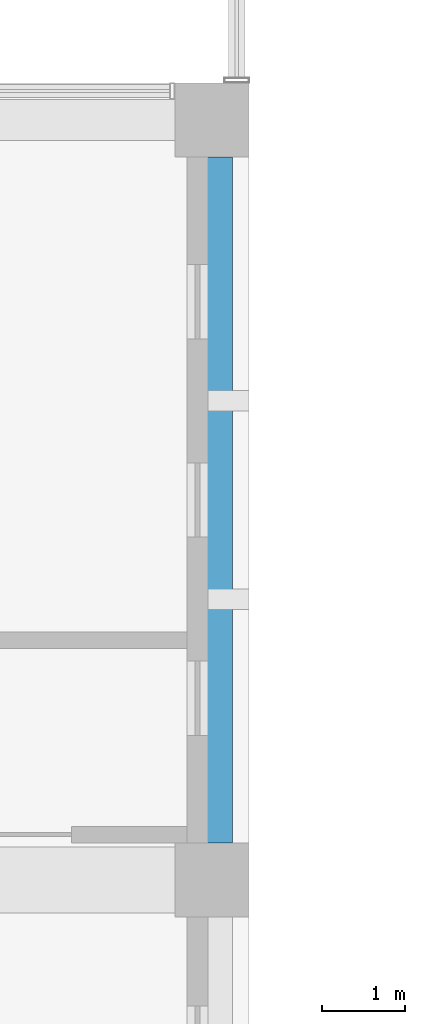
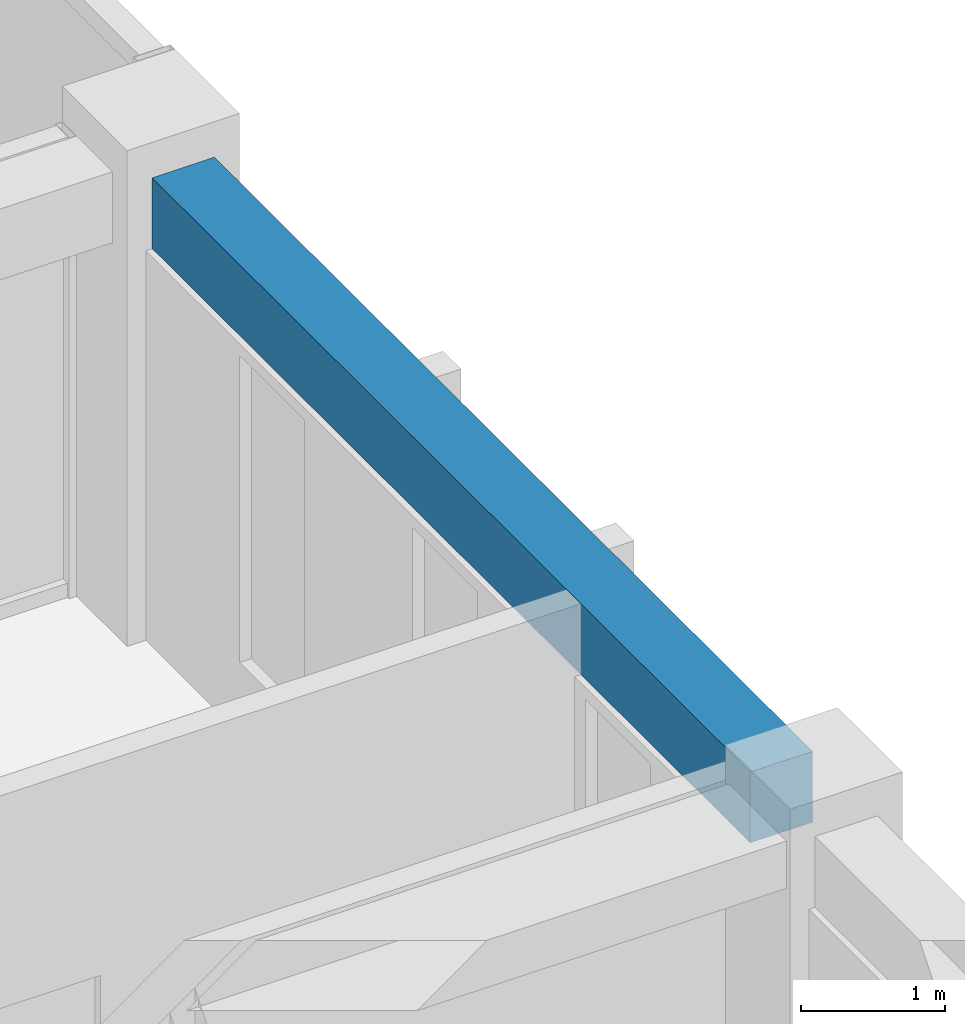
# One storey, part 15 of 37: 1 beam.
"""IFC4 building model written with IfcOpenShell, lengths in metres."""

from ifc_helpers import new_model, si_unit, direction, frame, origin, origin_2d, place, context, subcontext, project, spatial, rectangle, extrude, material, material_profile, profile_set, type_object, element, save


model = new_model("IFC4")

# Units and contexts
model_context = context("Model", 3, precision=1e-05, world=origin(), true_north=direction((0.0, 1.0)))
body_context = subcontext(model_context, "Body", "Model", "MODEL_VIEW")
ifc_project = project(units=[si_unit("LENGTHUNIT", "METRE"), si_unit("AREAUNIT", "SQUARE_METRE"), si_unit("VOLUMEUNIT", "CUBIC_METRE"), si_unit("PLANEANGLEUNIT", "RADIAN"), si_unit("MASSUNIT", "GRAM", prefix="KILO")], contexts=[model_context])

# Site, building, storey
site_placement = place(None, origin())
site = spatial("IfcSite", under=ifc_project, at=site_placement, CompositionType="ELEMENT")
building_placement = place(site_placement, origin())
building = spatial("IfcBuilding", under=site, at=building_placement, Name="Nzadi Deep Aquarium and Research Tower", CompositionType="ELEMENT")
storey_placement = place(building_placement, frame((0.0, 0.0, 61.300048828125)))
storey = spatial("IfcBuildingStorey", under=building, at=storey_placement, Name="L12", CompositionType="ELEMENT", Elevation=61.300048828125)

# Beam
ifc_material = material(Name="Concrete C35/45", Category="concrete")
ifc_material_profile = material_profile(ifc_material, rectangle(XDim=0.5, YDim=0.60009765625, at=origin_2d()))
ifc_profile_set = profile_set([ifc_material_profile], Name="Concrete C35/45")
beam_type = type_object("IfcBeamType", Name="RC 500x600", PredefinedType="BEAM", material=ifc_profile_set)
beam_placement = place(storey_placement, frame((48.0, 9.64990234375, 3.599853515625), z_axis=(0.0, 1.0, 0.0), x_axis=(-1.0, 0.0, 0.0)))
element("IfcBeam", 1, at=beam_placement, inside=storey, type_object=beam_type, Name="B-Z1-L12-CF-2-1", PredefinedType="BEAM", context=body_context, shape_type="SweptSolid", body=[
    extrude(rectangle(XDim=0.5, YDim=0.60009765625, at=origin_2d()), origin(), (0.0, 0.0, 1.0), 8.300048828125),
])

save(model, "model.ifc")
